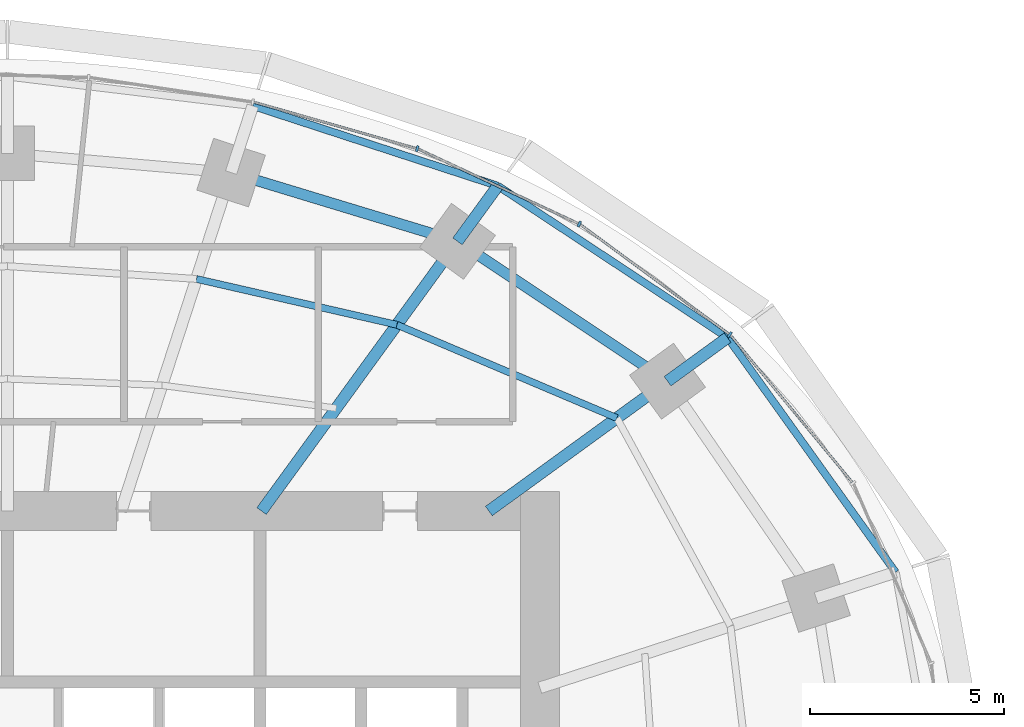
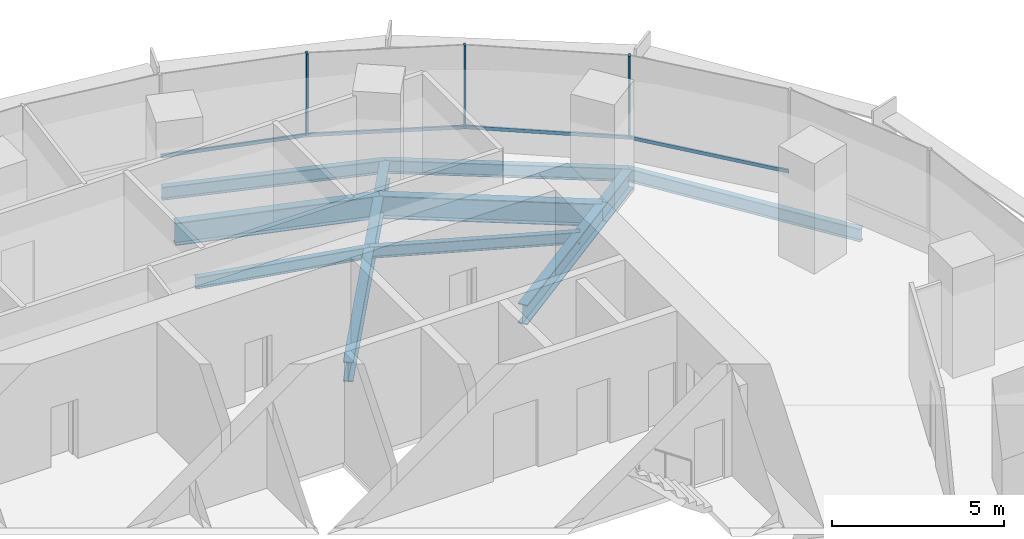
# One storey, part 8 of 14: 11 beams, 7 members, 2 elements without a shape of their own.
"""IFC4 building model written with IfcOpenShell, lengths in metres."""

import ifcopenshell
import ifcopenshell.guid

model = None  # the IFC model being written
_history = None  # IfcOwnerHistory: only IFC2X3 demands one
_inside = {}  # id of a spatial element -> (the spatial element, [elements in it])
_under = {}  # id of a project, library or spatial element -> (it, [spatial elements below it])
_declared = {}  # id of a project -> (the project, [libraries it declares])
_typed = {}  # id of a type object -> (the type object, [elements of that type])
_made_of = {}  # id of a material, layer set ... -> (it, [elements and type objects made of it])


def new_model(schema):
    """Start an empty IFC model of exactly this schema.

    Asked for "IFC4X3", IfcOpenShell would pick the latest addendum, in which some entities
    have other attributes; the version numbers below select the first issue.
    IFC2X3 requires an IfcOwnerHistory on every rooted entity: one is made here for all.
    """
    global model, _history
    if schema == "IFC4X3":
        model = ifcopenshell.file(schema_version=(4, 3, 0, 0))
    else:
        model = ifcopenshell.file(schema=schema)
    _inside.clear()
    _under.clear()
    _declared.clear()
    _typed.clear()
    _made_of.clear()
    _history = None
    if model.schema == "IFC2X3":
        org = make("IfcOrganization", Name="unknown")
        user = make(
            "IfcPersonAndOrganization",
            ThePerson=make("IfcPerson", FamilyName="unknown"),
            TheOrganization=org,
        )
        app = make(
            "IfcApplication",
            ApplicationDeveloper=org,
            Version="unknown",
            ApplicationFullName="unknown",
            ApplicationIdentifier="unknown",
        )
        _history = make(
            "IfcOwnerHistory",
            OwningUser=user,
            OwningApplication=app,
            ChangeAction="ADDED",
            CreationDate=0,
        )
    return model


def make(cls, **values):
    """One entity of the class cls with the attributes given. An attribute that is None is left unset."""
    return model.create_entity(
        cls, **{name: value for name, value in values.items() if value is not None}
    )


def rooted(cls, **values):
    """An entity with a GlobalId (a new one), such as an element, a storey or a relation."""
    return make(cls, GlobalId=ifcopenshell.guid.new(), OwnerHistory=_history, **values)


def si_unit(unit_type, name, prefix=None):
    """IfcSIUnit, for example si_unit("LENGTHUNIT", "METRE", prefix="MILLI")."""
    return make("IfcSIUnit", UnitType=unit_type, Prefix=prefix, Name=name)


def assignment(units):
    """IfcUnitAssignment: the units of a project."""
    return None if units is None else make("IfcUnitAssignment", Units=units)


def point(xyz):
    """IfcCartesianPoint."""
    return None if xyz is None else make("IfcCartesianPoint", Coordinates=xyz)


def direction(xyz):
    """IfcDirection."""
    return None if xyz is None else make("IfcDirection", DirectionRatios=xyz)


def frame(location, z_axis=None, x_axis=None):
    """IfcAxis2Placement3D, a coordinate frame: its origin and axes. An axis left out is left unset."""
    return make(
        "IfcAxis2Placement3D",
        Location=point(location),
        Axis=direction(z_axis),
        RefDirection=direction(x_axis),
    )


def frame_2d(location, x_axis=None):
    """IfcAxis2Placement2D, a coordinate frame in the plane: its origin and x axis."""
    return make(
        "IfcAxis2Placement2D", Location=point(location), RefDirection=direction(x_axis)
    )


def origin():
    """The frame at (0, 0, 0) with its axes left unset."""
    return frame((0.0, 0.0, 0.0))


def origin_2d():
    """The frame at (0, 0) in the plane with its x axis left unset."""
    return frame_2d((0.0, 0.0))


def place(relative_to, where):
    """IfcLocalPlacement: puts the frame where relative to a parent placement (None: the world)."""
    return make(
        "IfcLocalPlacement", PlacementRelTo=relative_to, RelativePlacement=where
    )


def context(
    kind, dimensions, precision=None, world=None, true_north=None, identifier=None
):
    """IfcGeometricRepresentationContext, for example the 3D "Model" context."""
    return make(
        "IfcGeometricRepresentationContext",
        ContextIdentifier=identifier,
        ContextType=kind,
        CoordinateSpaceDimension=dimensions,
        Precision=precision,
        WorldCoordinateSystem=world,
        TrueNorth=true_north,
    )


def subcontext(parent, identifier, kind, view, scale=None):
    """IfcGeometricRepresentationSubContext, for example "Body" below "Model"."""
    return make(
        "IfcGeometricRepresentationSubContext",
        ContextIdentifier=identifier,
        ContextType=kind,
        ParentContext=parent,
        TargetScale=scale,
        TargetView=view,
    )


def project(units=None, contexts=None):
    """IfcProject with its units and contexts."""
    return rooted(
        "IfcProject",
        Name="project",
        RepresentationContexts=contexts,
        UnitsInContext=assignment(units),
    )


def spatial(cls, under=None, at=None, **own):
    """A site, building, storey or space (cls), placed at a placement, below another one or the project."""
    s = rooted(cls, ObjectPlacement=at, **own)
    if under is not None:
        _under.setdefault(under.id(), (under, []))[1].append(s)
    return s


def profile(cls, at=None, kind="AREA", **sizes):
    """A parametric profile (cls). Its sizes go by their IFC names, for example OverallWidth=200.0."""
    return make(cls, ProfileType=kind, Position=at, **sizes)


def rectangle(**sizes):
    """IfcRectangleProfileDef."""
    return profile("IfcRectangleProfileDef", **sizes)


def i_section(**sizes):
    """IfcIShapeProfileDef."""
    return profile("IfcIShapeProfileDef", **sizes)


def extrude(swept, where, along, depth):
    """IfcExtrudedAreaSolid: the profile swept, set in the frame where, extruded along a direction by depth."""
    return make(
        "IfcExtrudedAreaSolid",
        SweptArea=swept,
        Position=where,
        ExtrudedDirection=direction(along),
        Depth=depth,
    )


def shape(context_of_items, identifier, shape_type, items):
    """IfcShapeRepresentation: the items that make up one representation, for example the "Body"."""
    return make(
        "IfcShapeRepresentation",
        ContextOfItems=context_of_items,
        RepresentationIdentifier=identifier,
        RepresentationType=shape_type,
        Items=items,
    )


def material(Name=None, Category=None):
    """IfcMaterial."""
    return make("IfcMaterial", Name=Name, Category=Category)


def material_profile(
    of_material, cross_section, Name=None, Category=None, Priority=None
):
    """IfcMaterialProfile: a cross section and its material."""
    return make(
        "IfcMaterialProfile",
        Name=Name,
        Material=of_material,
        Profile=cross_section,
        Priority=Priority,
        Category=Category,
    )


def profile_set(profiles, Name=None, composite=None):
    """IfcMaterialProfileSet."""
    return make(
        "IfcMaterialProfileSet",
        Name=Name,
        MaterialProfiles=profiles,
        CompositeProfile=composite,
    )


def made_of(thing, what):
    """Note that an element or type object is made of a material, layer set ...; save() writes the relation."""
    if what is not None:
        _made_of.setdefault(what.id(), (what, []))[1].append(thing)
    return thing


def type_object(cls, material=None, **own):
    """A type object (cls), such as IfcWallType, which elements share."""
    return made_of(rooted(cls, **own), material)


def element(
    cls,
    number,
    at=None,
    inside=None,
    cuts=None,
    type_object=None,
    material=None,
    context=None,
    identifier="Body",
    shape_type=None,
    held_by="IfcProductDefinitionShape",
    body=None,
    shapes=None,
    **own,
):
    """One element of the class cls, such as IfcWall. Its Tag is "e" and its number.

    at: its placement. inside: the storey or other place that contains it. cuts: it is an
    opening in that element (IfcRelVoidsElement). A single representation is given by context,
    identifier, shape_type and body (its items); several are given by shapes. held_by: the class
    of the entity that holds the representations. save() writes the other relations.
    """
    e = rooted(cls, Tag="e%d" % number, ObjectPlacement=at, **own)
    if body is not None:
        shapes = [shape(context, identifier, shape_type, body)]
    if shapes is not None:
        e.Representation = make(held_by, Representations=shapes)
    if inside is not None:
        _inside.setdefault(inside.id(), (inside, []))[1].append(e)
    if cuts is not None:
        rooted(
            "IfcRelVoidsElement", RelatingBuildingElement=cuts, RelatedOpeningElement=e
        )
    if type_object is not None:
        _typed.setdefault(type_object.id(), (type_object, []))[1].append(e)
    return made_of(e, material)


def aggregate(whole, parts):
    """IfcRelAggregates: a whole, such as a stair, and the parts it consists of."""
    return rooted("IfcRelAggregates", RelatingObject=whole, RelatedObjects=parts)


def save(model, path):
    """Write the relations noted so far, then the file.

    IfcRelAggregates (storeys below a building ...), IfcRelContainedInSpatialStructure (elements
    in a storey), IfcRelDefinesByType, IfcRelAssociatesMaterial and IfcRelDeclares: one each for
    every whole, place, type object, material and project.
    """
    for whole, parts in _under.values():
        aggregate(whole, parts)
    for where, things in _inside.values():
        rooted(
            "IfcRelContainedInSpatialStructure",
            RelatedElements=things,
            RelatingStructure=where,
        )
    for kind, things in _typed.values():
        rooted("IfcRelDefinesByType", RelatedObjects=things, RelatingType=kind)
    for what, things in _made_of.values():
        rooted("IfcRelAssociatesMaterial", RelatedObjects=things, RelatingMaterial=what)
    for by, libraries in _declared.values():
        rooted("IfcRelDeclares", RelatingContext=by, RelatedDefinitions=libraries)
    model.write(path)


model = new_model("IFC4")

# Units and contexts
model_context = context("Model", 3, precision=1e-05, world=origin(), true_north=direction((0.0, 1.0)))
body_context = subcontext(model_context, "Body", "Model", "MODEL_VIEW")
ifc_project = project(units=[si_unit("LENGTHUNIT", "METRE"), si_unit("AREAUNIT", "SQUARE_METRE"), si_unit("VOLUMEUNIT", "CUBIC_METRE"), si_unit("PLANEANGLEUNIT", "RADIAN"), si_unit("MASSUNIT", "GRAM", prefix="KILO")], contexts=[model_context])

# Site, building, storey
site_placement = place(None, origin())
site = spatial("IfcSite", under=ifc_project, at=site_placement, CompositionType="ELEMENT")
building_placement = place(site_placement, origin())
building = spatial("IfcBuilding", under=site, at=building_placement, Name="Marramba Exchange Tower", CompositionType="ELEMENT")
storey_placement = place(building_placement, frame((0.0, 0.0, 238.39990234375)))
storey = spatial("IfcBuildingStorey", under=building, at=storey_placement, Name="L58", CompositionType="ELEMENT", Elevation=238.39990234375)

# Beams
ifc_material_1 = material(Name="Steel AS/NZS 3679.2 grade 300", Category="steel")
ifc_material_profile_1 = material_profile(ifc_material_1, i_section(OverallWidth=0.300048828125, OverallDepth=0.699951171875, WebThickness=0.010009765625, FlangeThickness=0.031982421875, at=origin_2d()), Name="700WB173")
ifc_profile_set_1 = profile_set([ifc_material_profile_1], Name="Steel AS/NZS 3679.2 grade 300")
beam_type_1 = type_object("IfcBeamType", Name="Cantilever girder 700WB173", PredefinedType="BEAM", material=ifc_profile_set_1)
beam_1_placement = place(storey_placement, frame((16.98583984375, 12.3408203125, -0.510009765625), z_axis=(0.808962750283, 0.587859905636, 0.0), x_axis=(-0.587859905636, 0.808962750283, 0.0)))
element("IfcBeam", 1, at=beam_1_placement, inside=storey, type_object=beam_type_1, Name="Cantilever girder L58 TC03", PredefinedType="BEAM", context=body_context, shape_type="SweptSolid", body=[
    extrude(i_section(OverallWidth=0.300048828125, OverallDepth=0.699951171875, WebThickness=0.010009765625, FlangeThickness=0.031982421875, at=origin_2d()), origin(), (0.0, 0.0, 1.0), 1.9091796875),
])
beam_2_placement = place(storey_placement, frame((11.581298828125, 15.9404296875, -0.510009765625), z_axis=(0.587817766387, 0.808993370504, 0.0), x_axis=(-0.808993370504, 0.587817766387, 0.0)))
element("IfcBeam", 2, at=beam_2_placement, inside=storey, type_object=beam_type_1, Name="Cantilever girder L58 TC04", PredefinedType="BEAM", context=body_context, shape_type="SweptSolid", body=[
    extrude(i_section(OverallWidth=0.300048828125, OverallDepth=0.699951171875, WebThickness=0.010009765625, FlangeThickness=0.031982421875, at=origin_2d()), origin(), (0.0, 0.0, 1.0), 1.763916015625),
])
ifc_material_2 = material(Name="Steel AS/NZS 3679.1 grade 300", Category="steel")
ifc_material_profile_2 = material_profile(ifc_material_2, i_section(OverallWidth=0.177978515625, OverallDepth=0.406005859375, WebThickness=0.0078125, FlangeThickness=0.0126953125, FilletRadius=0.011474609375, at=origin_2d()), Name="410UB59.7")
ifc_profile_set_2 = profile_set([ifc_material_profile_2], Name="Steel AS/NZS 3679.1 grade 300")
beam_type_2 = type_object("IfcBeamType", Name="Floor joist 410UB59.7", PredefinedType="JOIST", material=ifc_profile_set_2)
beam_3_placement = place(storey_placement, frame((15.682373046875, 11.393798828125, -0.36279296875), z_axis=(-0.920674336375, 0.390331610738, 0.0), x_axis=(-0.390331610738, -0.920674336375, 0.0)))
element("IfcBeam", 3, at=beam_3_placement, inside=storey, type_object=beam_type_2, Name="Joist L58 bay 03 row 2", PredefinedType="JOIST", context=body_context, shape_type="SweptSolid", body=[
    extrude(i_section(OverallWidth=0.177978515625, OverallDepth=0.406005859375, WebThickness=0.0078125, FlangeThickness=0.0126953125, FilletRadius=0.011474609375, at=origin_2d()), origin(), (0.0, 0.0, 1.0), 6.1484375),
])
beam_4_placement = place(storey_placement, frame((10.021728515625, 13.793701171875, -0.36279296875), z_axis=(-0.974859652292, 0.222819788916, 0.0), x_axis=(-0.222819788916, -0.974859652292, 0.0)))
element("IfcBeam", 4, at=beam_4_placement, inside=storey, type_object=beam_type_2, Name="Joist L58 bay 04 row 2", PredefinedType="JOIST", context=body_context, shape_type="SweptSolid", body=[
    extrude(i_section(OverallWidth=0.177978515625, OverallDepth=0.406005859375, WebThickness=0.0078125, FlangeThickness=0.0126953125, FilletRadius=0.011474609375, at=origin_2d()), origin(), (0.0, 0.0, 1.0), 5.2900390625),
])

# Curtain wall, members
ifc_material_3 = material(Name="Aluminium framing, bronze anodised", Category="aluminium")
curtain_wall_type = type_object("IfcCurtainWallType", Name="Office ribbon curtain wall", PredefinedType="USERDEFINED", material=ifc_material_3)
curtain_wall_1_placement = place(storey_placement, origin())
curtain_wall_1 = element("IfcCurtainWall", 5, at=curtain_wall_1_placement, inside=storey, type_object=curtain_wall_type, Name="Curtain wall CW4 L58 F01-F05", ObjectType="RIBBON CURTAIN WALL", PredefinedType="USERDEFINED")
ifc_material_4 = material(Name="Aluminium mullion, bronze anodised", Category="aluminium")
ifc_material_profile_3 = material_profile(ifc_material_4, rectangle(XDim=0.159912109375, YDim=0.06005859375, at=origin_2d()), Name="CW4 mullion 60x160")
ifc_profile_set_3 = profile_set([ifc_material_profile_3], Name="Aluminium mullion, bronze anodised")
member_type_1 = type_object("IfcMemberType", Name="Office ribbon curtain wall mullion", PredefinedType="MULLION", material=ifc_profile_set_3)
member_1_placement = place(storey_placement, frame((18.587158203125, 13.53955078125, 0.800048828125), z_axis=(0.0, 0.0, 1.0), x_axis=(-0.593441317494, -0.804877259395, 0.0)))
member_1 = element("IfcMember", 6, at=member_1_placement, type_object=member_type_1, Name="CW4 mullion 1", PredefinedType="MULLION", context=body_context, shape_type="SweptSolid", body=[
    extrude(rectangle(XDim=0.159912109375, YDim=0.06005859375, at=origin_2d()), origin(), (0.0, 0.0, 1.0), 2.93994140625),
])
member_2_placement = place(storey_placement, frame((14.7158203125, 16.386474609375, 0.800048828125), z_axis=(0.0, 0.0, 1.0), x_axis=(-0.422133006189, -0.906533907301, 0.0)))
member_2 = element("IfcMember", 7, at=member_2_placement, type_object=member_type_1, Name="CW4 mullion 1", PredefinedType="MULLION", context=body_context, shape_type="SweptSolid", body=[
    extrude(rectangle(XDim=0.159912109375, YDim=0.06005859375, at=origin_2d()), origin(), (0.0, 0.0, 1.0), 2.93994140625),
])

# Curtain wall, member
curtain_wall_2_placement = place(storey_placement, origin())
curtain_wall_2 = element("IfcCurtainWall", 8, at=curtain_wall_2_placement, inside=storey, type_object=curtain_wall_type, Name="Curtain wall CW4 L58 F06-F10", ObjectType="RIBBON CURTAIN WALL", PredefinedType="USERDEFINED")
member_3_placement = place(storey_placement, frame((10.54541015625, 18.3232421875, 0.800048828125), z_axis=(0.0, 0.0, 1.0), x_axis=(-0.274248164656, -0.961658954195, 0.0)))
member_3 = element("IfcMember", 9, at=member_3_placement, type_object=member_type_1, Name="CW4 mullion 1", PredefinedType="MULLION", context=body_context, shape_type="SweptSolid", body=[
    extrude(rectangle(XDim=0.159912109375, YDim=0.06005859375, at=origin_2d()), origin(), (0.0, 0.0, 1.0), 2.93994140625),
])

# Member
ifc_material_5 = material(Name="Aluminium transom, bronze anodised", Category="aluminium")
ifc_material_profile_4 = material_profile(ifc_material_5, rectangle(XDim=0.06005859375, YDim=0.1201171875, at=origin_2d()), Name="CW4 transom 60x120")
ifc_profile_set_4 = profile_set([ifc_material_profile_4], Name="Aluminium transom, bronze anodised")
member_type_2 = type_object("IfcMemberType", Name="Office ribbon curtain wall transom", PredefinedType="USERDEFINED", material=ifc_profile_set_4)
member_4_placement = place(storey_placement, frame((21.73779296875, 9.74169921875, 0.830078125), z_axis=(-0.637375191043, 0.770553609973, 0.0), x_axis=(-0.770553609973, -0.637375191043, 0.0)))
member_4 = element("IfcMember", 10, at=member_4_placement, type_object=member_type_2, Name="CW4 sill transom", ObjectType="TRANSOM", PredefinedType="USERDEFINED", context=body_context, shape_type="SweptSolid", body=[
    extrude(rectangle(XDim=0.06005859375, YDim=0.1201171875, at=origin_2d()), origin(), (0.0, 0.0, 1.0), 4.905517578125),
])

member_5_placement = place(storey_placement, frame((18.56298828125, 13.557373046875, 0.830078125), z_axis=(-0.804874780157, 0.593444680039, 0.0), x_axis=(-0.593444680039, -0.804874780157, 0.0)))
member_5 = element("IfcMember", 11, at=member_5_placement, type_object=member_type_2, Name="CW4 sill transom", ObjectType="TRANSOM", PredefinedType="USERDEFINED", context=body_context, shape_type="SweptSolid", body=[
    extrude(rectangle(XDim=0.06005859375, YDim=0.1201171875, at=origin_2d()), origin(), (0.0, 0.0, 1.0), 4.745849609375),
])

member_6_placement = place(storey_placement, frame((14.688720703125, 16.399169921875, 0.830078125), z_axis=(-0.906548348139, 0.422101992989, 0.0), x_axis=(-0.422101992989, -0.906548348139, 0.0)))
member_6 = element("IfcMember", 12, at=member_6_placement, type_object=member_type_2, Name="CW4 sill transom", ObjectType="TRANSOM", PredefinedType="USERDEFINED", context=body_context, shape_type="SweptSolid", body=[
    extrude(rectangle(XDim=0.06005859375, YDim=0.1201171875, at=origin_2d()), origin(), (0.0, 0.0, 1.0), 4.53857421875),
])

aggregate(curtain_wall_1, [member_4, member_1, member_5, member_2, member_6])

member_7_placement = place(storey_placement, frame((10.5166015625, 18.33154296875, 0.830078125), z_axis=(-0.961661807825, 0.274238158125, 0.0), x_axis=(-0.274238158125, -0.961661807825, 0.0)))
member_7 = element("IfcMember", 13, at=member_7_placement, type_object=member_type_2, Name="CW4 sill transom", ObjectType="TRANSOM", PredefinedType="USERDEFINED", context=body_context, shape_type="SweptSolid", body=[
    extrude(rectangle(XDim=0.06005859375, YDim=0.1201171875, at=origin_2d()), origin(), (0.0, 0.0, 1.0), 4.340087890625),
])

aggregate(curtain_wall_2, [member_3, member_7])

# Beams
ifc_material_profile_5 = material_profile(ifc_material_1, i_section(OverallWidth=0.300048828125, OverallDepth=0.699951171875, WebThickness=0.010009765625, FlangeThickness=0.031982421875, at=origin_2d()), Name="700WB173")
ifc_profile_set_5 = profile_set([ifc_material_profile_5], Name="Steel AS/NZS 3679.2 grade 300")
beam_type_3 = type_object("IfcBeamType", Name="Radial girder 700WB173", PredefinedType="BEAM", material=ifc_profile_set_5)
beam_5_placement = place(storey_placement, frame((12.387451171875, 9.0, -0.510009765625), z_axis=(0.809025746925, 0.587773205252, 0.0), x_axis=(-0.587773205252, 0.809025746925, 0.0)))
element("IfcBeam", 14, at=beam_5_placement, inside=storey, type_object=beam_type_3, Name="Radial girder L58 TC03", PredefinedType="BEAM", context=body_context, shape_type="SweptSolid", body=[
    extrude(i_section(OverallWidth=0.300048828125, OverallDepth=0.699951171875, WebThickness=0.010009765625, FlangeThickness=0.031982421875, at=origin_2d()), origin(), (0.0, 0.0, 1.0), 5.683837890625),
])
beam_6_placement = place(storey_placement, frame((6.538818359375, 9.0, -0.510009765625), z_axis=(0.587782439969, 0.80901903764, 0.0), x_axis=(-0.80901903764, 0.587782439969, 0.0)))
element("IfcBeam", 15, at=beam_6_placement, inside=storey, type_object=beam_type_3, Name="Radial girder L58 TC04", PredefinedType="BEAM", context=body_context, shape_type="SweptSolid", body=[
    extrude(i_section(OverallWidth=0.300048828125, OverallDepth=0.699951171875, WebThickness=0.010009765625, FlangeThickness=0.031982421875, at=origin_2d()), origin(), (0.0, 0.0, 1.0), 8.578857421875),
])
ifc_material_profile_6 = material_profile(ifc_material_1, i_section(OverallWidth=0.27490234375, OverallDepth=0.800048828125, WebThickness=0.010009765625, FlangeThickness=0.02490234375, at=origin_2d()), Name="800WB168")
ifc_profile_set_6 = profile_set([ifc_material_profile_6], Name="Steel AS/NZS 3679.2 grade 300")
beam_type_4 = type_object("IfcBeamType", Name="Ring beam 800WB168", PredefinedType="SPANDREL", material=ifc_profile_set_6)
beam_7_placement = place(storey_placement, frame((16.98583984375, 12.3408203125, -0.559814453125), z_axis=(-0.832293151443, 0.554335737673, 0.0), x_axis=(-0.554335737673, -0.832293151443, 0.0)))
element("IfcBeam", 16, at=beam_7_placement, inside=storey, type_object=beam_type_4, Name="Ring beam L58 TC03-TC04", PredefinedType="SPANDREL", context=body_context, shape_type="SweptSolid", body=[
    extrude(i_section(OverallWidth=0.27490234375, OverallDepth=0.800048828125, WebThickness=0.010009765625, FlangeThickness=0.02490234375, at=origin_2d()), origin(), (0.0, 0.0, 1.0), 6.49365234375),
])
beam_8_placement = place(storey_placement, frame((11.581298828125, 15.9404296875, -0.559814453125), z_axis=(-0.956924542524, 0.290336735387, 0.0), x_axis=(-0.290336735387, -0.956924542524, 0.0)))
element("IfcBeam", 17, at=beam_8_placement, inside=storey, type_object=beam_type_4, Name="Ring beam L58 TC04-TC05", PredefinedType="SPANDREL", context=body_context, shape_type="SweptSolid", body=[
    extrude(i_section(OverallWidth=0.27490234375, OverallDepth=0.800048828125, WebThickness=0.010009765625, FlangeThickness=0.02490234375, at=origin_2d()), origin(), (0.0, 0.0, 1.0), 6.089599609375),
])
ifc_material_profile_7 = material_profile(ifc_material_2, i_section(OverallWidth=0.19091796875, OverallDepth=0.4599609375, WebThickness=0.010009765625, FlangeThickness=0.01611328125, FilletRadius=0.011474609375, at=origin_2d()), Name="460UB82.1")
ifc_profile_set_7 = profile_set([ifc_material_profile_7], Name="Steel AS/NZS 3679.1 grade 300")
beam_type_5 = type_object("IfcBeamType", Name="Slab edge beam 460UB82.1", PredefinedType="SPANDREL", material=ifc_profile_set_7)
beam_9_placement = place(storey_placement, frame((22.853515625, 7.425537109375, -0.389892578125), z_axis=(-0.582189457885, 0.813053156398, 0.0), x_axis=(-0.813053156398, -0.582189457885, 0.0)))
element("IfcBeam", 18, at=beam_9_placement, inside=storey, type_object=beam_type_5, Name="Slab edge beam L58 TC02-TC03", PredefinedType="SPANDREL", context=body_context, shape_type="SweptSolid", body=[
    extrude(i_section(OverallWidth=0.19091796875, OverallDepth=0.4599609375, WebThickness=0.010009765625, FlangeThickness=0.01611328125, FilletRadius=0.011474609375, at=origin_2d()), origin(), (0.0, 0.0, 1.0), 7.42578125),
])
beam_10_placement = place(storey_placement, frame((18.5302734375, 13.463134765625, -0.389892578125), z_axis=(-0.834459826117, 0.551068778463, 0.0), x_axis=(-0.551068778463, -0.834459826117, 0.0)))
element("IfcBeam", 19, at=beam_10_placement, inside=storey, type_object=beam_type_5, Name="Slab edge beam L58 TC03-TC04", PredefinedType="SPANDREL", context=body_context, shape_type="SweptSolid", body=[
    extrude(i_section(OverallWidth=0.19091796875, OverallDepth=0.4599609375, WebThickness=0.010009765625, FlangeThickness=0.01611328125, FilletRadius=0.011474609375, at=origin_2d()), origin(), (0.0, 0.0, 1.0), 7.0849609375),
])
beam_11_placement = place(storey_placement, frame((12.6181640625, 17.367431640625, -0.389892578125), z_axis=(-0.950608559101, 0.310392279809, 0.0), x_axis=(-0.310392279809, -0.950608559101, 0.0)))
element("IfcBeam", 20, at=beam_11_placement, inside=storey, type_object=beam_type_5, Name="Slab edge beam L58 TC04-TC05", PredefinedType="SPANDREL", context=body_context, shape_type="SweptSolid", body=[
    extrude(i_section(OverallWidth=0.19091796875, OverallDepth=0.4599609375, WebThickness=0.010009765625, FlangeThickness=0.01611328125, FilletRadius=0.011474609375, at=origin_2d()), origin(), (0.0, 0.0, 1.0), 6.6337890625),
])

save(model, "model.ifc")
